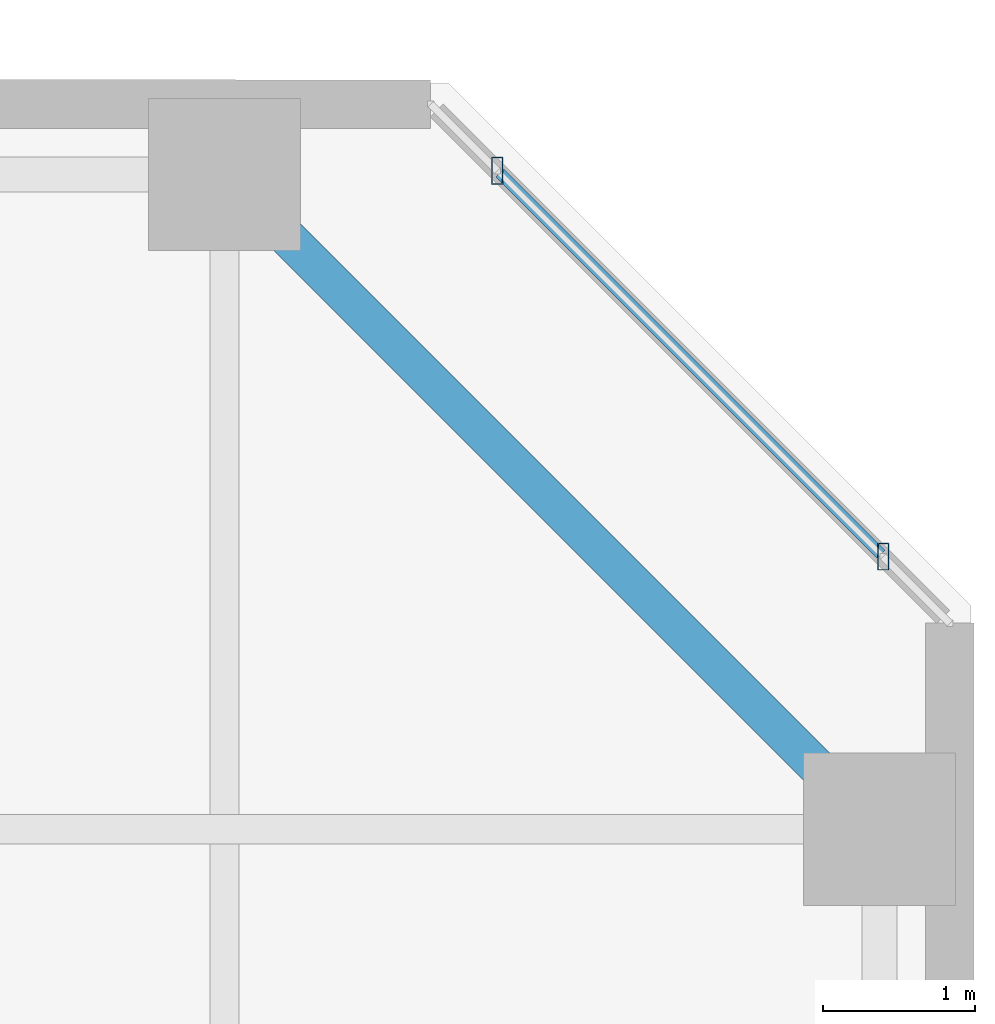
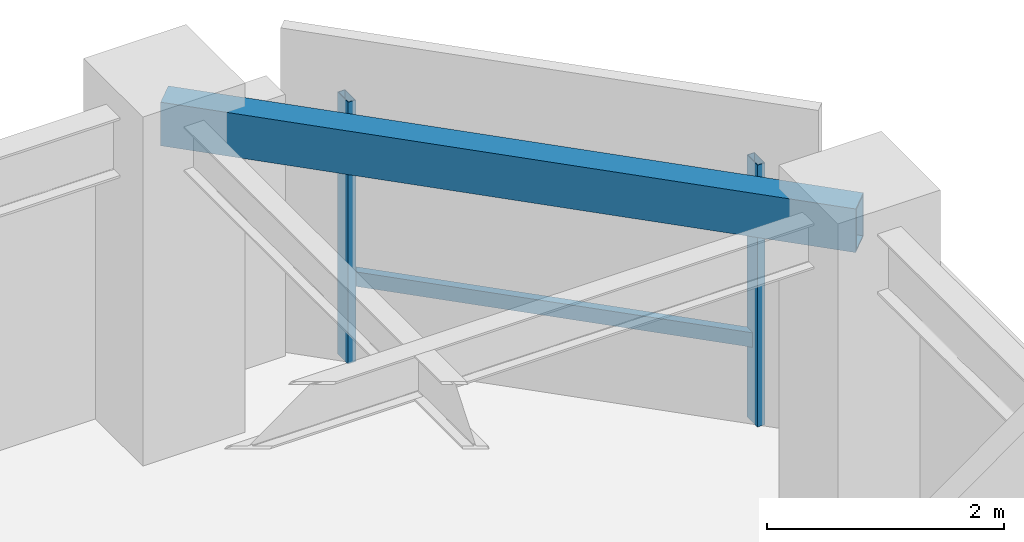
# One storey, part 17 of 33: 3 members, 1 beam, 1 element without a shape of its own.
"""IFC4 building model written with IfcOpenShell, lengths in metres."""

import ifcopenshell
import ifcopenshell.guid

model = None  # the IFC model being written
_history = None  # IfcOwnerHistory: only IFC2X3 demands one
_inside = {}  # id of a spatial element -> (the spatial element, [elements in it])
_under = {}  # id of a project, library or spatial element -> (it, [spatial elements below it])
_declared = {}  # id of a project -> (the project, [libraries it declares])
_typed = {}  # id of a type object -> (the type object, [elements of that type])
_made_of = {}  # id of a material, layer set ... -> (it, [elements and type objects made of it])


def new_model(schema):
    """Start an empty IFC model of exactly this schema.

    Asked for "IFC4X3", IfcOpenShell would pick the latest addendum, in which some entities
    have other attributes; the version numbers below select the first issue.
    IFC2X3 requires an IfcOwnerHistory on every rooted entity: one is made here for all.
    """
    global model, _history
    if schema == "IFC4X3":
        model = ifcopenshell.file(schema_version=(4, 3, 0, 0))
    else:
        model = ifcopenshell.file(schema=schema)
    _inside.clear()
    _under.clear()
    _declared.clear()
    _typed.clear()
    _made_of.clear()
    _history = None
    if model.schema == "IFC2X3":
        org = make("IfcOrganization", Name="unknown")
        user = make(
            "IfcPersonAndOrganization",
            ThePerson=make("IfcPerson", FamilyName="unknown"),
            TheOrganization=org,
        )
        app = make(
            "IfcApplication",
            ApplicationDeveloper=org,
            Version="unknown",
            ApplicationFullName="unknown",
            ApplicationIdentifier="unknown",
        )
        _history = make(
            "IfcOwnerHistory",
            OwningUser=user,
            OwningApplication=app,
            ChangeAction="ADDED",
            CreationDate=0,
        )
    return model


def make(cls, **values):
    """One entity of the class cls with the attributes given. An attribute that is None is left unset."""
    return model.create_entity(
        cls, **{name: value for name, value in values.items() if value is not None}
    )


def rooted(cls, **values):
    """An entity with a GlobalId (a new one), such as an element, a storey or a relation."""
    return make(cls, GlobalId=ifcopenshell.guid.new(), OwnerHistory=_history, **values)


def si_unit(unit_type, name, prefix=None):
    """IfcSIUnit, for example si_unit("LENGTHUNIT", "METRE", prefix="MILLI")."""
    return make("IfcSIUnit", UnitType=unit_type, Prefix=prefix, Name=name)


def assignment(units):
    """IfcUnitAssignment: the units of a project."""
    return None if units is None else make("IfcUnitAssignment", Units=units)


def point(xyz):
    """IfcCartesianPoint."""
    return None if xyz is None else make("IfcCartesianPoint", Coordinates=xyz)


def direction(xyz):
    """IfcDirection."""
    return None if xyz is None else make("IfcDirection", DirectionRatios=xyz)


def frame(location, z_axis=None, x_axis=None):
    """IfcAxis2Placement3D, a coordinate frame: its origin and axes. An axis left out is left unset."""
    return make(
        "IfcAxis2Placement3D",
        Location=point(location),
        Axis=direction(z_axis),
        RefDirection=direction(x_axis),
    )


def frame_2d(location, x_axis=None):
    """IfcAxis2Placement2D, a coordinate frame in the plane: its origin and x axis."""
    return make(
        "IfcAxis2Placement2D", Location=point(location), RefDirection=direction(x_axis)
    )


def origin():
    """The frame at (0, 0, 0) with its axes left unset."""
    return frame((0.0, 0.0, 0.0))


def origin_2d():
    """The frame at (0, 0) in the plane with its x axis left unset."""
    return frame_2d((0.0, 0.0))


def place(relative_to, where):
    """IfcLocalPlacement: puts the frame where relative to a parent placement (None: the world)."""
    return make(
        "IfcLocalPlacement", PlacementRelTo=relative_to, RelativePlacement=where
    )


def context(
    kind, dimensions, precision=None, world=None, true_north=None, identifier=None
):
    """IfcGeometricRepresentationContext, for example the 3D "Model" context."""
    return make(
        "IfcGeometricRepresentationContext",
        ContextIdentifier=identifier,
        ContextType=kind,
        CoordinateSpaceDimension=dimensions,
        Precision=precision,
        WorldCoordinateSystem=world,
        TrueNorth=true_north,
    )


def subcontext(parent, identifier, kind, view, scale=None):
    """IfcGeometricRepresentationSubContext, for example "Body" below "Model"."""
    return make(
        "IfcGeometricRepresentationSubContext",
        ContextIdentifier=identifier,
        ContextType=kind,
        ParentContext=parent,
        TargetScale=scale,
        TargetView=view,
    )


def project(units=None, contexts=None):
    """IfcProject with its units and contexts."""
    return rooted(
        "IfcProject",
        Name="project",
        RepresentationContexts=contexts,
        UnitsInContext=assignment(units),
    )


def spatial(cls, under=None, at=None, **own):
    """A site, building, storey or space (cls), placed at a placement, below another one or the project."""
    s = rooted(cls, ObjectPlacement=at, **own)
    if under is not None:
        _under.setdefault(under.id(), (under, []))[1].append(s)
    return s


def profile(cls, at=None, kind="AREA", **sizes):
    """A parametric profile (cls). Its sizes go by their IFC names, for example OverallWidth=200.0."""
    return make(cls, ProfileType=kind, Position=at, **sizes)


def hollow_rectangle(**sizes):
    """IfcRectangleHollowProfileDef."""
    return profile("IfcRectangleHollowProfileDef", **sizes)


def extrude(swept, where, along, depth):
    """IfcExtrudedAreaSolid: the profile swept, set in the frame where, extruded along a direction by depth."""
    return make(
        "IfcExtrudedAreaSolid",
        SweptArea=swept,
        Position=where,
        ExtrudedDirection=direction(along),
        Depth=depth,
    )


def shape(context_of_items, identifier, shape_type, items):
    """IfcShapeRepresentation: the items that make up one representation, for example the "Body"."""
    return make(
        "IfcShapeRepresentation",
        ContextOfItems=context_of_items,
        RepresentationIdentifier=identifier,
        RepresentationType=shape_type,
        Items=items,
    )


def material(Name=None, Category=None):
    """IfcMaterial."""
    return make("IfcMaterial", Name=Name, Category=Category)


def material_profile(
    of_material, cross_section, Name=None, Category=None, Priority=None
):
    """IfcMaterialProfile: a cross section and its material."""
    return make(
        "IfcMaterialProfile",
        Name=Name,
        Material=of_material,
        Profile=cross_section,
        Priority=Priority,
        Category=Category,
    )


def profile_set(profiles, Name=None, composite=None):
    """IfcMaterialProfileSet."""
    return make(
        "IfcMaterialProfileSet",
        Name=Name,
        MaterialProfiles=profiles,
        CompositeProfile=composite,
    )


def made_of(thing, what):
    """Note that an element or type object is made of a material, layer set ...; save() writes the relation."""
    if what is not None:
        _made_of.setdefault(what.id(), (what, []))[1].append(thing)
    return thing


def type_object(cls, material=None, **own):
    """A type object (cls), such as IfcWallType, which elements share."""
    return made_of(rooted(cls, **own), material)


def element(
    cls,
    number,
    at=None,
    inside=None,
    cuts=None,
    type_object=None,
    material=None,
    context=None,
    identifier="Body",
    shape_type=None,
    held_by="IfcProductDefinitionShape",
    body=None,
    shapes=None,
    **own,
):
    """One element of the class cls, such as IfcWall. Its Tag is "e" and its number.

    at: its placement. inside: the storey or other place that contains it. cuts: it is an
    opening in that element (IfcRelVoidsElement). A single representation is given by context,
    identifier, shape_type and body (its items); several are given by shapes. held_by: the class
    of the entity that holds the representations. save() writes the other relations.
    """
    e = rooted(cls, Tag="e%d" % number, ObjectPlacement=at, **own)
    if body is not None:
        shapes = [shape(context, identifier, shape_type, body)]
    if shapes is not None:
        e.Representation = make(held_by, Representations=shapes)
    if inside is not None:
        _inside.setdefault(inside.id(), (inside, []))[1].append(e)
    if cuts is not None:
        rooted(
            "IfcRelVoidsElement", RelatingBuildingElement=cuts, RelatedOpeningElement=e
        )
    if type_object is not None:
        _typed.setdefault(type_object.id(), (type_object, []))[1].append(e)
    return made_of(e, material)


def aggregate(whole, parts):
    """IfcRelAggregates: a whole, such as a stair, and the parts it consists of."""
    return rooted("IfcRelAggregates", RelatingObject=whole, RelatedObjects=parts)


def save(model, path):
    """Write the relations noted so far, then the file.

    IfcRelAggregates (storeys below a building ...), IfcRelContainedInSpatialStructure (elements
    in a storey), IfcRelDefinesByType, IfcRelAssociatesMaterial and IfcRelDeclares: one each for
    every whole, place, type object, material and project.
    """
    for whole, parts in _under.values():
        aggregate(whole, parts)
    for where, things in _inside.values():
        rooted(
            "IfcRelContainedInSpatialStructure",
            RelatedElements=things,
            RelatingStructure=where,
        )
    for kind, things in _typed.values():
        rooted("IfcRelDefinesByType", RelatedObjects=things, RelatingType=kind)
    for what, things in _made_of.values():
        rooted("IfcRelAssociatesMaterial", RelatedObjects=things, RelatingMaterial=what)
    for by, libraries in _declared.values():
        rooted("IfcRelDeclares", RelatingContext=by, RelatedDefinitions=libraries)
    model.write(path)


model = new_model("IFC4")

# Units and contexts
model_context = context("Model", 3, precision=1e-05, world=origin(), true_north=direction((0.0, 1.0)))
body_context = subcontext(model_context, "Body", "Model", "MODEL_VIEW")
ifc_project = project(units=[si_unit("LENGTHUNIT", "METRE"), si_unit("AREAUNIT", "SQUARE_METRE"), si_unit("VOLUMEUNIT", "CUBIC_METRE"), si_unit("PLANEANGLEUNIT", "RADIAN"), si_unit("MASSUNIT", "GRAM", prefix="KILO")], contexts=[model_context])

# Site, building, storey
site_placement = place(None, origin())
site = spatial("IfcSite", under=ifc_project, at=site_placement, CompositionType="ELEMENT")
building_placement = place(site_placement, origin())
building = spatial("IfcBuilding", under=site, at=building_placement, Name="Thornwick Lancets Civic Towers", CompositionType="ELEMENT")
storey_placement = place(building_placement, frame((0.0, 0.0, 210.89990234375)))
storey = spatial("IfcBuildingStorey", under=building, at=storey_placement, Name="L56", CompositionType="ELEMENT", Elevation=210.89990234375)

# Beam
ifc_material_1 = material(Name="Steel S355JR", Category="steel")
ifc_material_profile_1 = material_profile(ifc_material_1, hollow_rectangle(XDim=0.25, YDim=0.449951171875, WallThickness=0.01611328125, at=origin_2d()), Name="RHS 450x250x16")
ifc_profile_set_1 = profile_set([ifc_material_profile_1], Name="Steel S355JR")
beam_type = type_object("IfcBeamType", Name="BM_RING_RHS450", PredefinedType="BEAM", material=ifc_profile_set_1)
beam_placement = place(storey_placement, frame((105.800048828125, 40.0, 3.135009765625), z_axis=(-0.707106781187, 0.707106781187, 0.0), x_axis=(-0.707106781187, -0.707106781187, 0.0)))
element("IfcBeam", 1, at=beam_placement, inside=storey, type_object=beam_type, Name="BM-CHAMF-L56-B-C0", PredefinedType="BEAM", context=body_context, shape_type="SweptSolid", body=[
    extrude(hollow_rectangle(XDim=0.25, YDim=0.449951171875, WallThickness=0.01611328125, at=origin_2d()), origin(), (0.0, 0.0, 1.0), 6.081298828125),
])

# Curtain wall, members
ifc_material_2 = material(Name="High-zone chamfered-corner unitised glass curtain wall", Category="glass")
curtain_wall_type = type_object("IfcCurtainWallType", Name="CW_SYS_05", PredefinedType="NOTDEFINED", material=ifc_material_2)
curtain_wall_placement = place(storey_placement, origin())
curtain_wall = element("IfcCurtainWall", 2, at=curtain_wall_placement, inside=storey, type_object=curtain_wall_type, Name="L56 Curtain Wall CW-L56-B-E3", PredefinedType="NOTDEFINED")
ifc_material_3 = material(Name="Thermally broken bronze aluminium S355", Category="steel")
ifc_material_profile_2 = material_profile(ifc_material_3, hollow_rectangle(XDim=0.074951171875, YDim=0.179931640625, WallThickness=0.006103515625, at=origin_2d()), Name="RHS 180x75x6")
ifc_profile_set_2 = profile_set([ifc_material_profile_2], Name="Thermally broken bronze aluminium S355")
member_type_1 = type_object("IfcMemberType", Name="CW_MUL_180", PredefinedType="MULLION", material=ifc_profile_set_2)
member_1_placement = place(storey_placement, frame((105.823974609375, 41.79150390625, 0.0), z_axis=(0.0, 0.0, 1.0), x_axis=(1.0, 0.0, 0.0)))
member_1 = element("IfcMember", 3, at=member_1_placement, type_object=member_type_1, Name="CW-L56-B-E3 Mullion 0", PredefinedType="MULLION", context=body_context, shape_type="SweptSolid", body=[
    extrude(hollow_rectangle(XDim=0.074951171875, YDim=0.179931640625, WallThickness=0.006103515625, at=origin_2d()), origin(), (0.0, 0.0, 1.0), 2.7001953125),
])
member_2_placement = place(storey_placement, frame((103.29150390625, 44.323974609375, 0.0), z_axis=(0.0, 0.0, 1.0), x_axis=(1.0, 0.0, 0.0)))
member_2 = element("IfcMember", 4, at=member_2_placement, type_object=member_type_1, Name="CW-L56-B-E3 Mullion 1", PredefinedType="MULLION", context=body_context, shape_type="SweptSolid", body=[
    extrude(hollow_rectangle(XDim=0.074951171875, YDim=0.179931640625, WallThickness=0.006103515625, at=origin_2d()), origin(), (0.0, 0.0, 1.0), 2.7001953125),
])
ifc_material_profile_3 = material_profile(ifc_material_3, hollow_rectangle(XDim=0.074951171875, YDim=0.14990234375, WallThickness=0.0048828125, at=origin_2d()), Name="RHS 150x75x5")
ifc_profile_set_3 = profile_set([ifc_material_profile_3], Name="Thermally broken bronze aluminium S355")
member_type_2 = type_object("IfcMemberType", Name="CW_TRN_150", PredefinedType="USERDEFINED", material=ifc_profile_set_3)
member_3_placement = place(storey_placement, frame((105.809814453125, 41.805908203125, 0.85009765625), z_axis=(-0.707106781187, 0.707106781187, 0.0), x_axis=(-0.707106781187, -0.707106781187, 0.0)))
member_3 = element("IfcMember", 5, at=member_3_placement, type_object=member_type_2, Name="CW-L56-B-E3 Transom 0", ObjectType="TRANSOM", PredefinedType="USERDEFINED", context=body_context, shape_type="SweptSolid", body=[
    extrude(hollow_rectangle(XDim=0.074951171875, YDim=0.14990234375, WallThickness=0.0048828125, at=origin_2d()), origin(), (0.0, 0.0, 1.0), 3.541015625),
])
aggregate(curtain_wall, [member_1, member_2, member_3])

save(model, "model.ifc")
